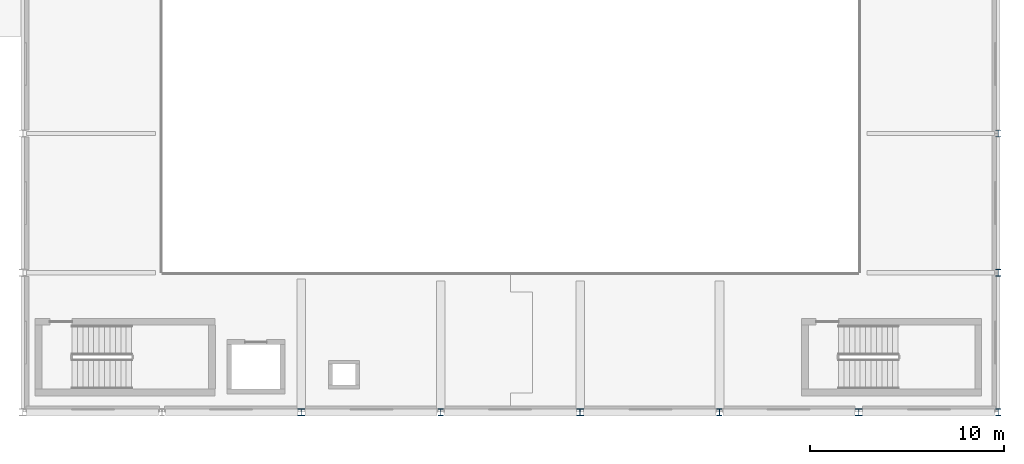
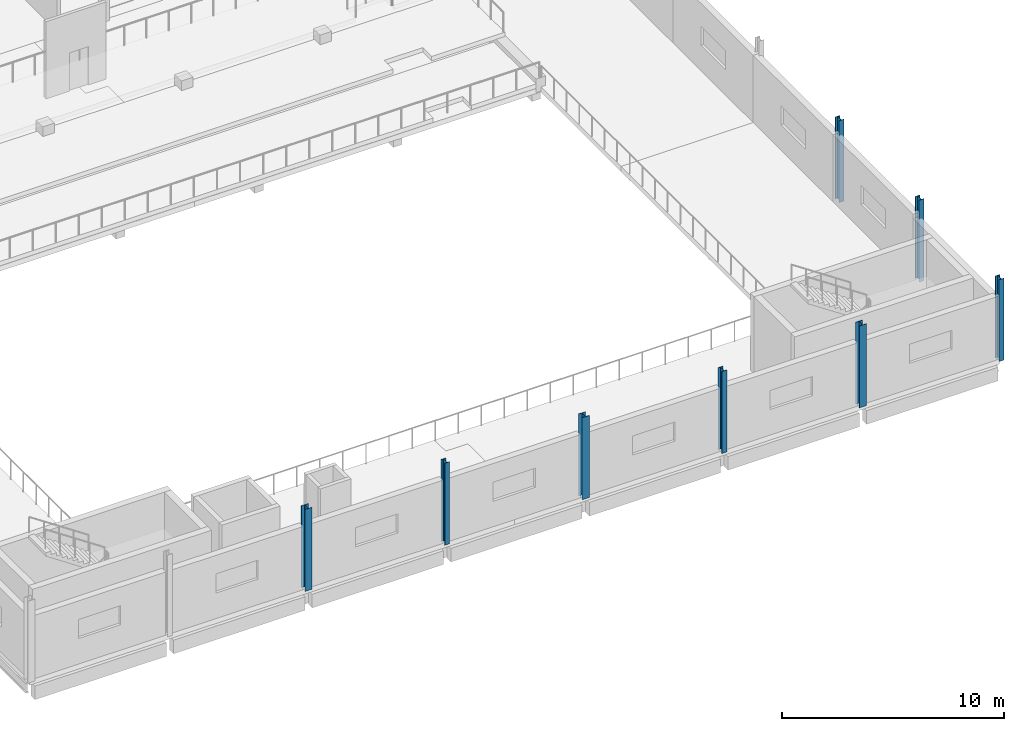
# One storey, part 18 of 123: 8 columns.
"""IFC4 building model written with IfcOpenShell, lengths in metres."""

from ifc_helpers import new_model, si_unit, direction, frame, origin, origin_2d, place, context, subcontext, project, spatial, i_section, extrude, material, material_profile, profile_set, type_object, element, save


model = new_model("IFC4")

# Units and contexts
model_context = context("Model", 3, precision=1e-05, world=origin(), true_north=direction((0.0, 1.0)))
body_context = subcontext(model_context, "Body", "Model", "MODEL_VIEW")
ifc_project = project(units=[si_unit("LENGTHUNIT", "METRE"), si_unit("AREAUNIT", "SQUARE_METRE"), si_unit("VOLUMEUNIT", "CUBIC_METRE"), si_unit("PLANEANGLEUNIT", "RADIAN"), si_unit("MASSUNIT", "GRAM", prefix="KILO")], contexts=[model_context])

# Site, building, storey
site_placement = place(None, origin())
site = spatial("IfcSite", under=ifc_project, at=site_placement, CompositionType="ELEMENT")
building_placement = place(site_placement, origin())
building = spatial("IfcBuilding", under=site, at=building_placement, Name="Kalmorath City Hall", CompositionType="ELEMENT")
storey_placement = place(building_placement, frame((0.0, 0.0, 10.199951171875)))
storey = spatial("IfcBuildingStorey", under=building, at=storey_placement, Name="L02", CompositionType="ELEMENT", Elevation=10.199951171875)

# Columns
ifc_material_1 = material(Name="Steel ASTM A992 Grade 50", Category="steel")
ifc_material_profile_1 = material_profile(ifc_material_1, i_section(OverallWidth=0.256103515625, OverallDepth=0.360107421875, WebThickness=0.011474609375, FlangeThickness=0.02001953125, FilletRadius=0.014892578125, at=origin_2d()), Name="W14X74")
ifc_profile_set_1 = profile_set([ifc_material_profile_1], Name="Steel ASTM A992 Grade 50")
column_type_1 = type_object("IfcColumnType", Name="Steel wide-flange column W14X74", PredefinedType="COLUMN", material=ifc_profile_set_1)
for number, where, z_axis, x_axis, name in (
    (1, (136.800048828125, 0.0, 0.0), (0.0, 0.0, 1.0), (1.0, 0.0, 0.0), "L02 column SC4 (20/1)"),
    (2, (151.199951171875, 0.0, 0.0), (0.0, 0.0, 1.0), (1.0, 0.0, 0.0), "L02 column SC4 (22/1)"),
    (3, (165.60009765625, 0.0, 0.0), (0.0, 0.0, 1.0), (1.0, 0.0, 0.0), "L02 column SC4 (24/1)"),
    (4, (165.60009765625, 7.199951171875, 0.0), (0.0, 0.0, 1.0), (1.0, 0.0, 0.0), "L02 column SC4 (24/2)"),
    (5, (165.60009765625, 14.39990234375, 0.0), (0.0, 0.0, 1.0), (1.0, 0.0, 0.0), "L02 column SC4 (24/3)"),
):
    element("IfcColumn", number, at=place(storey_placement, frame(where, z_axis=z_axis, x_axis=x_axis)), inside=storey, type_object=column_type_1, Name=name, PredefinedType="COLUMN", context=body_context, shape_type="SweptSolid", body=[
        extrude(i_section(OverallWidth=0.256103515625, OverallDepth=0.360107421875, WebThickness=0.011474609375, FlangeThickness=0.02001953125, FilletRadius=0.014892578125, at=origin_2d()), origin(), (0.0, 0.0, 1.0), 4.5),
    ])
ifc_material_2 = material(Name="Steel ASTM A992 Grade 50", Category="steel")
ifc_material_profile_2 = material_profile(ifc_material_2, i_section(OverallWidth=0.368896484375, OverallDepth=0.35595703125, WebThickness=0.01123046875, FlangeThickness=0.01806640625, FilletRadius=0.01806640625, at=origin_2d()), Name="W14X90")
ifc_profile_set_2 = profile_set([ifc_material_profile_2], Name="Steel ASTM A992 Grade 50")
column_type_2 = type_object("IfcColumnType", Name="Steel wide-flange column W14X90", PredefinedType="COLUMN", material=ifc_profile_set_2)
for number, where, z_axis, x_axis, name in (
    (6, (129.60009765625, 0.0, 0.0), (0.0, 0.0, 1.0), (1.0, 0.0, 0.0), "L02 column SC3 (19/1)"),
    (7, (144.0, 0.0, 0.0), (0.0, 0.0, 1.0), (1.0, 0.0, 0.0), "L02 column SC3 (21/1)"),
    (8, (158.39990234375, 0.0, 0.0), (0.0, 0.0, 1.0), (1.0, 0.0, 0.0), "L02 column SC3 (23/1)"),
):
    element("IfcColumn", number, at=place(storey_placement, frame(where, z_axis=z_axis, x_axis=x_axis)), inside=storey, type_object=column_type_2, Name=name, PredefinedType="COLUMN", context=body_context, shape_type="SweptSolid", body=[
        extrude(i_section(OverallWidth=0.368896484375, OverallDepth=0.35595703125, WebThickness=0.01123046875, FlangeThickness=0.01806640625, FilletRadius=0.01806640625, at=origin_2d()), origin(), (0.0, 0.0, 1.0), 4.5),
    ])

save(model, "model.ifc")
